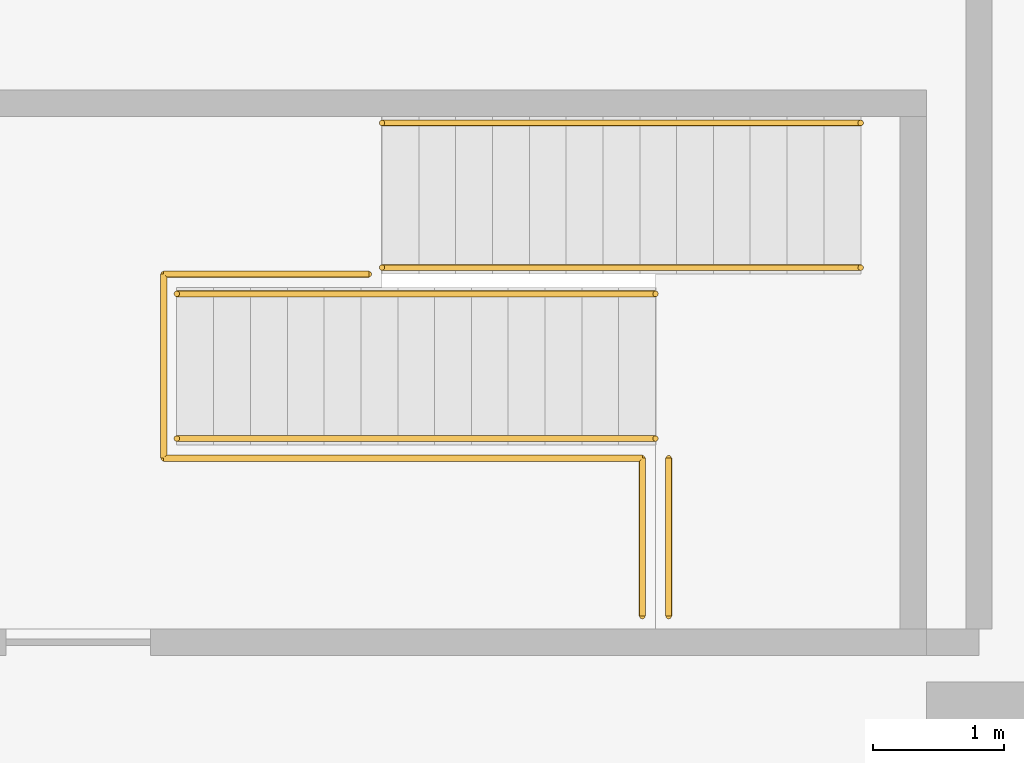
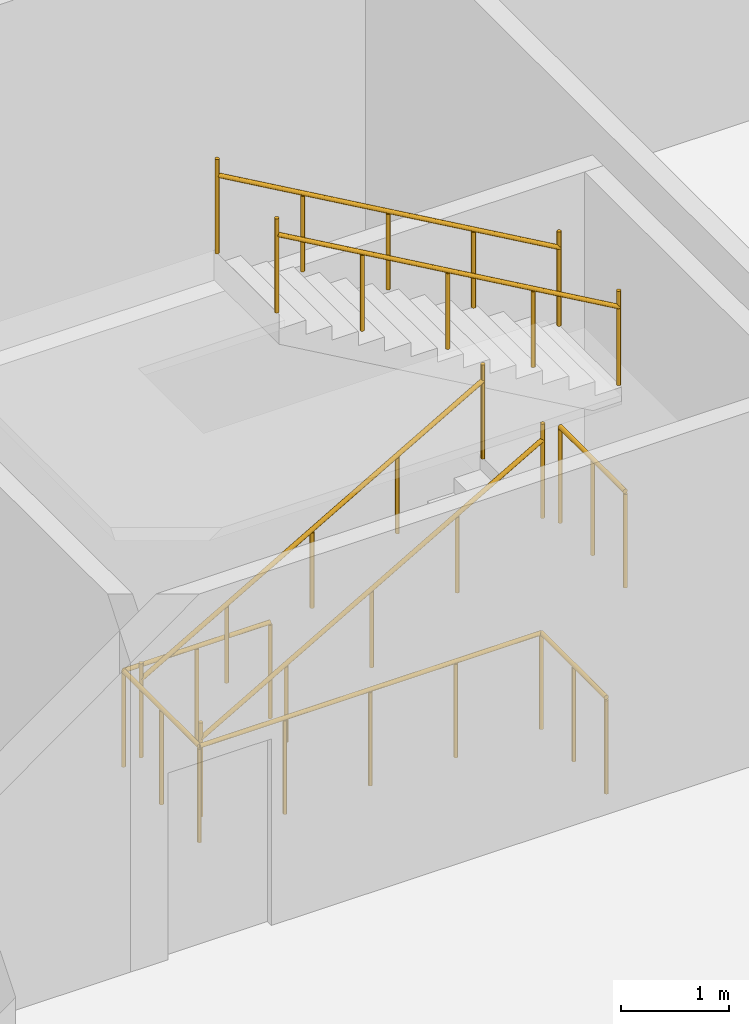
# One storey, part 17 of 19: 6 railings.
"""IFC4 building model written with IfcOpenShell, lengths in metres."""

from ifc_helpers import new_model, si_unit, direction, frame, origin, origin_2d, place, context, subcontext, project, spatial, circle, extrude, material, type_object, element, save


model = new_model("IFC4")

# Units and contexts
model_context = context("Model", 3, precision=1e-05, world=origin(), true_north=direction((0.0, 1.0)))
body_context = subcontext(model_context, "Body", "Model", "MODEL_VIEW")
ifc_project = project(units=[si_unit("LENGTHUNIT", "METRE"), si_unit("AREAUNIT", "SQUARE_METRE"), si_unit("VOLUMEUNIT", "CUBIC_METRE"), si_unit("PLANEANGLEUNIT", "RADIAN"), si_unit("MASSUNIT", "GRAM", prefix="KILO")], contexts=[model_context])

# Site, building, storey
site_placement = place(None, origin())
site = spatial("IfcSite", under=ifc_project, at=site_placement, CompositionType="ELEMENT")
building_placement = place(site_placement, origin())
building = spatial("IfcBuilding", under=site, at=building_placement, Name="Qaws Garden Tower", CompositionType="ELEMENT")
storey_placement = place(building_placement, frame((0.0, 0.0, -4.5)))
storey = spatial("IfcBuildingStorey", under=building, at=storey_placement, Name="B1", CompositionType="ELEMENT", Elevation=-4.5)

# Railings
ifc_material_1 = material(Name="Steel S355", Category="steel")
railing_type_1 = type_object("IfcRailingType", Name="Guard steel balustrade 1100", PredefinedType="GUARDRAIL", material=ifc_material_1)
railing_1_placement = place(storey_placement, frame((97.43994140625, 100.89990234375, 0.0)))
element("IfcRailing", 1, at=railing_1_placement, inside=storey, type_object=railing_type_1, Name="Stair opening guard", PredefinedType="GUARDRAIL", context=body_context, shape_type="SweptSolid", body=[
    extrude(circle(Radius=0.02392578125, at=origin_2d()), frame((0.0, 0.0, 1.076171875), z_axis=(0.0, 1.0, 0.0), x_axis=(-1.0, 0.0, 0.0)), (0.0, 0.0, 1.0), 1.2001953125),
    extrude(circle(Radius=0.02392578125, at=origin_2d()), frame((0.0, 1.2001953125, 1.076171875), z_axis=(-1.0, 0.0, 0.0), x_axis=(0.0, -1.0, 0.0)), (0.0, 0.0, 1.0), 3.639892578125),
    extrude(circle(Radius=0.02392578125, at=origin_2d()), frame((-3.639892578125, 1.2001953125, 1.076171875), z_axis=(0.0, 1.0, 0.0), x_axis=(-1.0, 0.0, 0.0)), (0.0, 0.0, 1.0), 1.39990234375),
    extrude(circle(Radius=0.02392578125, at=origin_2d()), frame((-3.639892578125, 2.60009765625, 1.076171875), z_axis=(1.0, 0.0, 0.0), x_axis=(0.0, 1.0, 0.0)), (0.0, 0.0, 1.0), 1.56005859375),
    extrude(circle(Radius=0.02099609375, at=origin_2d()), origin(), (0.0, 0.0, 1.0), 1.052001953125),
    extrude(circle(Radius=0.02099609375, at=origin_2d()), frame((0.0, 0.60009765625, 0.0)), (0.0, 0.0, 1.0), 1.052001953125),
    extrude(circle(Radius=0.02099609375, at=origin_2d()), frame((0.0, 1.2001953125, 0.0)), (0.0, 0.0, 1.0), 1.052001953125),
    extrude(circle(Radius=0.02099609375, at=origin_2d()), frame((-0.909912109375, 1.2001953125, 0.0)), (0.0, 0.0, 1.0), 1.052001953125),
    extrude(circle(Radius=0.02099609375, at=origin_2d()), frame((-1.81982421875, 1.2001953125, 0.0)), (0.0, 0.0, 1.0), 1.052001953125),
    extrude(circle(Radius=0.02099609375, at=origin_2d()), frame((-2.72998046875, 1.2001953125, 0.0)), (0.0, 0.0, 1.0), 1.052001953125),
    extrude(circle(Radius=0.02099609375, at=origin_2d()), frame((-3.639892578125, 1.2001953125, 0.0)), (0.0, 0.0, 1.0), 1.052001953125),
    extrude(circle(Radius=0.02099609375, at=origin_2d()), frame((-3.639892578125, 1.900146484375, 0.0)), (0.0, 0.0, 1.0), 1.052001953125),
    extrude(circle(Radius=0.02099609375, at=origin_2d()), frame((-3.639892578125, 2.60009765625, 0.0)), (0.0, 0.0, 1.0), 1.052001953125),
    extrude(circle(Radius=0.02099609375, at=origin_2d()), frame((-2.85986328125, 2.60009765625, 0.0)), (0.0, 0.0, 1.0), 1.052001953125),
    extrude(circle(Radius=0.02099609375, at=origin_2d()), frame((-2.079833984375, 2.60009765625, 0.0)), (0.0, 0.0, 1.0), 1.052001953125),
])
railing_2_placement = place(storey_placement, frame((97.639892578125, 100.89990234375, 2.25)))
element("IfcRailing", 2, at=railing_2_placement, inside=storey, type_object=railing_type_1, Name="Stair landing guard", PredefinedType="GUARDRAIL", context=body_context, shape_type="SweptSolid", body=[
    extrude(circle(Radius=0.02392578125, at=origin_2d()), frame((0.0, 0.0, 1.076171875), z_axis=(0.0, 1.0, 0.0), x_axis=(-1.0, 0.0, 0.0)), (0.0, 0.0, 1.0), 1.2001953125),
    extrude(circle(Radius=0.02099609375, at=origin_2d()), origin(), (0.0, 0.0, 1.0), 1.052001953125),
    extrude(circle(Radius=0.02099609375, at=origin_2d()), frame((0.0, 0.60009765625, 0.0)), (0.0, 0.0, 1.0), 1.052001953125),
    extrude(circle(Radius=0.02099609375, at=origin_2d()), frame((0.0, 1.2001953125, 0.0)), (0.0, 0.0, 1.0), 1.052001953125),
])
ifc_material_2 = material(Name="Stainless steel 316", Category="steel")
railing_type_2 = type_object("IfcRailingType", Name="Handrail 900", PredefinedType="HANDRAIL", material=ifc_material_2)
for number, where, name in (
    (3, (93.89990234375, 102.25, 0.16064453125), "Stair handrail"),
    (4, (93.89990234375, 103.35009765625, 0.16064453125), "Stair handrail"),
):
    element("IfcRailing", number, at=place(storey_placement, frame(where)), inside=storey, type_object=railing_type_2, Name=name, PredefinedType="HANDRAIL", context=body_context, shape_type="SweptSolid", body=[
        extrude(circle(Radius=0.02392578125, at=origin_2d()), frame((0.0, 0.0, 0.8759765625), z_axis=(0.867289372828, 0.0, 0.497804322781), x_axis=(0.0, 1.0, 0.0)), (0.0, 0.0, 1.0), 4.197021484375),
        extrude(circle(Radius=0.02099609375, at=origin_2d()), origin(), (0.0, 0.0, 1.0), 1.06103515625),
        extrude(circle(Radius=0.02099609375, at=origin_2d()), frame((0.91015625, 0.0, 0.5224609375)), (0.0, 0.0, 1.0), 0.851806640625),
        extrude(circle(Radius=0.02099609375, at=origin_2d()), frame((1.820068359375, 0.0, 1.044677734375)), (0.0, 0.0, 1.0), 0.851806640625),
        extrude(circle(Radius=0.02099609375, at=origin_2d()), frame((2.72998046875, 0.0, 1.56689453125)), (0.0, 0.0, 1.0), 0.851806640625),
        extrude(circle(Radius=0.02099609375, at=origin_2d()), frame((3.64013671875, 0.0, 2.08935546875)), (0.0, 0.0, 1.0), 1.06103515625),
    ])
for number, where, name in (
    (5, (99.10009765625, 103.550048828125, 2.41064453125), "Stair handrail"),
    (6, (99.10009765625, 104.64990234375, 2.41064453125), "Stair handrail"),
):
    element("IfcRailing", number, at=place(storey_placement, frame(where)), inside=storey, type_object=railing_type_2, Name=name, PredefinedType="HANDRAIL", context=body_context, shape_type="SweptSolid", body=[
        extrude(circle(Radius=0.02392578125, at=origin_2d()), frame((0.0, 0.0, 0.8759765625), z_axis=(-0.867289372828, 0.0, 0.497804322781), x_axis=(0.0, -1.0, 0.0)), (0.0, 0.0, 1.0), 4.197021484375),
        extrude(circle(Radius=0.02099609375, at=origin_2d()), origin(), (0.0, 0.0, 1.0), 1.06103515625),
        extrude(circle(Radius=0.02099609375, at=origin_2d()), frame((-0.91015625, 0.0, 0.5224609375)), (0.0, 0.0, 1.0), 0.851806640625),
        extrude(circle(Radius=0.02099609375, at=origin_2d()), frame((-1.820068359375, 0.0, 1.044677734375)), (0.0, 0.0, 1.0), 0.851806640625),
        extrude(circle(Radius=0.02099609375, at=origin_2d()), frame((-2.72998046875, 0.0, 1.56689453125)), (0.0, 0.0, 1.0), 0.851806640625),
        extrude(circle(Radius=0.02099609375, at=origin_2d()), frame((-3.64013671875, 0.0, 2.08935546875)), (0.0, 0.0, 1.0), 1.06103515625),
    ])

save(model, "model.ifc")
